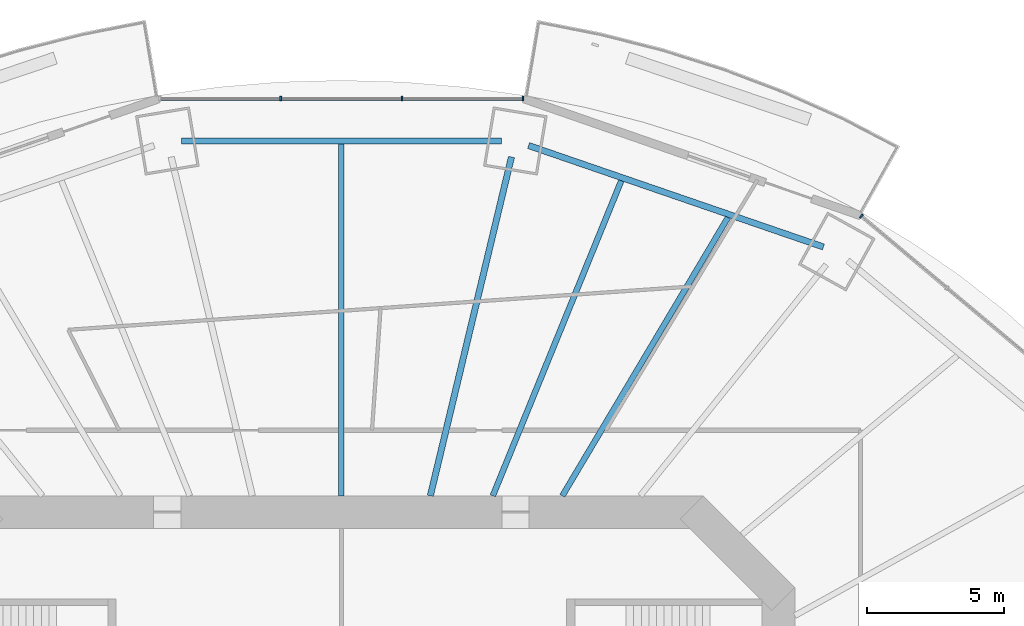
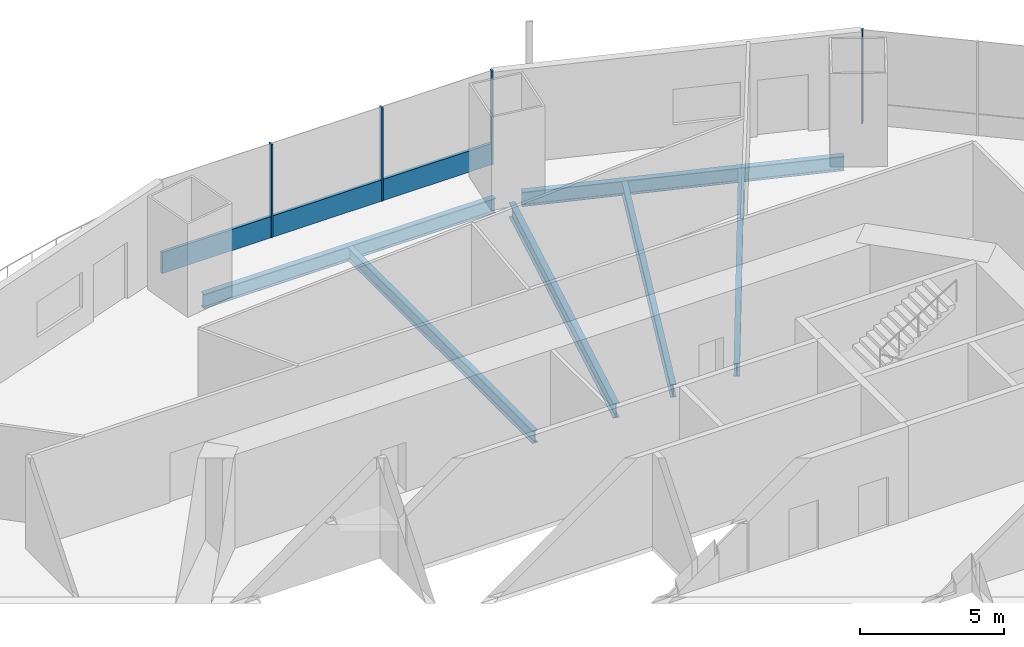
# One storey, part 9 of 22: 6 beams, 5 members, 2 elements without a shape of their own.
"""IFC4 building model written with IfcOpenShell, lengths in metres."""

from ifc_helpers import new_model, si_unit, direction, frame, origin, origin_2d, place, context, subcontext, project, spatial, rectangle, i_section, extrude, material, material_profile, profile_set, type_object, element, aggregate, save


model = new_model("IFC4")

# Units and contexts
model_context = context("Model", 3, precision=1e-05, world=origin(), true_north=direction((0.0, 1.0)))
body_context = subcontext(model_context, "Body", "Model", "MODEL_VIEW")
ifc_project = project(units=[si_unit("LENGTHUNIT", "METRE"), si_unit("AREAUNIT", "SQUARE_METRE"), si_unit("VOLUMEUNIT", "CUBIC_METRE"), si_unit("PLANEANGLEUNIT", "RADIAN"), si_unit("MASSUNIT", "GRAM", prefix="KILO")], contexts=[model_context])

# Site, building, storey
site_placement = place(None, origin())
site = spatial("IfcSite", under=ifc_project, at=site_placement, CompositionType="ELEMENT")
building_placement = place(site_placement, origin())
building = spatial("IfcBuilding", under=site, at=building_placement, Name="Marenthal Gate Tower", CompositionType="ELEMENT")
storey_placement = place(building_placement, frame((0.0, 0.0, 111.85009765625)))
storey = spatial("IfcBuildingStorey", under=building, at=storey_placement, Name="L23", CompositionType="ELEMENT", Elevation=111.85009765625)

# Curtain wall, member
ifc_material_1 = material(Name="Aluminium and glass", Category="aluminium")
curtain_wall_type = type_object("IfcCurtainWallType", Name="Curtain wall typical low", PredefinedType="NOTDEFINED", material=ifc_material_1)
curtain_wall_1_placement = place(storey_placement, origin())
curtain_wall_1 = element("IfcCurtainWall", 1, at=curtain_wall_1_placement, inside=storey, type_object=curtain_wall_type, Name="Curtain wall L23 bay 2", PredefinedType="NOTDEFINED")
ifc_material_2 = material(Name="Aluminium", Category="aluminium")
ifc_material_profile_1 = material_profile(ifc_material_2, rectangle(XDim=0.159912109375, YDim=0.06005859375, at=origin_2d()), Name="60x160 aluminium mullion")
ifc_profile_set_1 = profile_set([ifc_material_profile_1], Name="Aluminium")
member_type_1 = type_object("IfcMemberType", Name="Mullion 60x160 typical low", PredefinedType="MULLION", material=ifc_profile_set_1)
member_1_placement = place(storey_placement, frame((19.037841796875, 23.833984375, 0.0), z_axis=(0.0, 0.0, 1.0), x_axis=(-0.642377082487, -0.766388728972, 0.0)))
member_1 = element("IfcMember", 2, at=member_1_placement, type_object=member_type_1, Name="Mullion L23 bay 2.4", PredefinedType="MULLION", context=body_context, shape_type="SweptSolid", body=[
    extrude(rectangle(XDim=0.159912109375, YDim=0.06005859375, at=origin_2d()), origin(), (0.0, 0.0, 1.0), 3.969970703125),
])
aggregate(curtain_wall_1, [member_1])

# Curtain wall, members
curtain_wall_2_placement = place(storey_placement, origin())
curtain_wall_2 = element("IfcCurtainWall", 3, at=curtain_wall_2_placement, inside=storey, type_object=curtain_wall_type, Name="Curtain wall L23 bay 4", PredefinedType="NOTDEFINED")
member_2_placement = place(storey_placement, frame((6.647216796875, 28.13671875, 0.0), z_axis=(0.0, 0.0, 1.0), x_axis=(0.0, -1.0, 0.0)))
member_2 = element("IfcMember", 4, at=member_2_placement, type_object=member_type_1, Name="Mullion L23 bay 4.1", PredefinedType="MULLION", context=body_context, shape_type="SweptSolid", body=[
    extrude(rectangle(XDim=0.159912109375, YDim=0.06005859375, at=origin_2d()), origin(), (0.0, 0.0, 1.0), 3.969970703125),
])
member_3_placement = place(storey_placement, frame((2.2158203125, 28.13671875, 0.0), z_axis=(0.0, 0.0, 1.0), x_axis=(0.0, -1.0, 0.0)))
member_3 = element("IfcMember", 5, at=member_3_placement, type_object=member_type_1, Name="Mullion L23 bay 4.2", PredefinedType="MULLION", context=body_context, shape_type="SweptSolid", body=[
    extrude(rectangle(XDim=0.159912109375, YDim=0.06005859375, at=origin_2d()), origin(), (0.0, 0.0, 1.0), 3.969970703125),
])
member_4_placement = place(storey_placement, frame((-2.2158203125, 28.13671875, 0.0), z_axis=(0.0, 0.0, 1.0), x_axis=(0.0, -1.0, 0.0)))
member_4 = element("IfcMember", 6, at=member_4_placement, type_object=member_type_1, Name="Mullion L23 bay 4.3", PredefinedType="MULLION", context=body_context, shape_type="SweptSolid", body=[
    extrude(rectangle(XDim=0.159912109375, YDim=0.06005859375, at=origin_2d()), origin(), (0.0, 0.0, 1.0), 3.969970703125),
])
ifc_material_3 = material(Name="Aluminium", Category="aluminium")
ifc_material_profile_2 = material_profile(ifc_material_3, rectangle(XDim=0.1201171875, YDim=0.89990234375, at=origin_2d()), Name="120x900 aluminium transom")
ifc_profile_set_2 = profile_set([ifc_material_profile_2], Name="Aluminium")
member_type_2 = type_object("IfcMemberType", Name="Transom 120x900 typical low", PredefinedType="USERDEFINED", material=ifc_profile_set_2)
member_5_placement = place(storey_placement, frame((6.6171875, 28.13671875, 0.449951171875), z_axis=(-1.0, 0.0, 0.0), x_axis=(0.0, -1.0, 0.0)))
member_5 = element("IfcMember", 7, at=member_5_placement, type_object=member_type_2, Name="Transom L23 bay 4", ObjectType="TRANSOM", PredefinedType="USERDEFINED", context=body_context, shape_type="SweptSolid", body=[
    extrude(rectangle(XDim=0.1201171875, YDim=0.89990234375, at=origin_2d()), origin(), (0.0, 0.0, 1.0), 13.234375),
])
aggregate(curtain_wall_2, [member_2, member_3, member_4, member_5])

# Beams
ifc_material_4 = material(Name="Steel S355", Category="steel")
ifc_material_profile_3 = material_profile(ifc_material_4, i_section(OverallWidth=0.2119140625, OverallDepth=0.5439453125, WebThickness=0.01318359375, FlangeThickness=0.021240234375, FilletRadius=0.0126953125, at=origin_2d()), Name="W530X123")
ifc_profile_set_3 = profile_set([ifc_material_profile_3], Name="Steel S355")
beam_type_1 = type_object("IfcBeamType", Name="W530X123 beam", PredefinedType="BEAM", material=ifc_profile_set_3)
beam_1_placement = place(storey_placement, frame((14.154541015625, 23.7880859375, -0.4521484375), z_axis=(-0.511357862228, -0.859367870436, 0.0), x_axis=(0.859367870436, -0.511357862228, 0.0)))
element("IfcBeam", 8, at=beam_1_placement, inside=storey, type_object=beam_type_1, Name="BM-L23-20", PredefinedType="BEAM", context=body_context, shape_type="SweptSolid", body=[
    extrude(i_section(OverallWidth=0.2119140625, OverallDepth=0.5439453125, WebThickness=0.01318359375, FlangeThickness=0.021240234375, FilletRadius=0.0126953125, at=origin_2d()), origin(), (0.0, 0.0, 1.0), 11.855224609375),
])
beam_2_placement = place(storey_placement, frame((10.248291015625, 25.131591796875, -0.4521484375), z_axis=(-0.377598266022, -0.925969518665, 0.0), x_axis=(0.925969518665, -0.377598266022, 0.0)))
element("IfcBeam", 9, at=beam_2_placement, inside=storey, type_object=beam_type_1, Name="BM-L23-21", PredefinedType="BEAM", context=body_context, shape_type="SweptSolid", body=[
    extrude(i_section(OverallWidth=0.2119140625, OverallDepth=0.5439453125, WebThickness=0.01318359375, FlangeThickness=0.021240234375, FilletRadius=0.0126953125, at=origin_2d()), origin(), (0.0, 0.0, 1.0), 12.453369140625),
])
beam_3_placement = place(storey_placement, frame((0.0, 26.47265625, -0.4521484375), z_axis=(0.0, -1.0, 0.0), x_axis=(1.0, 0.0, 0.0)))
element("IfcBeam", 10, at=beam_3_placement, inside=storey, type_object=beam_type_1, Name="BM-L23-22", PredefinedType="BEAM", context=body_context, shape_type="SweptSolid", body=[
    extrude(i_section(OverallWidth=0.2119140625, OverallDepth=0.5439453125, WebThickness=0.01318359375, FlangeThickness=0.021240234375, FilletRadius=0.0126953125, at=origin_2d()), origin(), (0.0, 0.0, 1.0), 12.87255859375),
])
ifc_material_5 = material(Name="Steel S355", Category="steel")
ifc_material_profile_4 = material_profile(ifc_material_5, i_section(OverallWidth=0.22900390625, OverallDepth=0.612060546875, WebThickness=0.011962890625, FlangeThickness=0.01953125, FilletRadius=0.0126953125, at=origin_2d()), Name="W610X125")
ifc_profile_set_4 = profile_set([ifc_material_profile_4], Name="Steel S355")
beam_type_2 = type_object("IfcBeamType", Name="W610X125 beam", PredefinedType="BEAM", material=ifc_profile_set_4)
beam_4_placement = place(storey_placement, frame((6.228515625, 26.000732421875, -0.486083984375), z_axis=(-0.232968867139, -0.972484193673, 0.0), x_axis=(0.972484193673, -0.232968867139, 0.0)))
element("IfcBeam", 11, at=beam_4_placement, inside=storey, type_object=beam_type_2, Name="BM-L23-04", PredefinedType="BEAM", context=body_context, shape_type="SweptSolid", body=[
    extrude(i_section(OverallWidth=0.22900390625, OverallDepth=0.612060546875, WebThickness=0.011962890625, FlangeThickness=0.01953125, FilletRadius=0.0126953125, at=origin_2d()), origin(), (0.0, 0.0, 1.0), 12.75146484375),
])
beam_5_placement = place(storey_placement, frame((17.649658203125, 22.707275390625, -0.486083984375), z_axis=(-0.945631108542, 0.325241151391, 0.0), x_axis=(-0.325241151391, -0.945631108542, 0.0)))
element("IfcBeam", 12, at=beam_5_placement, inside=storey, type_object=beam_type_2, Name="BM-L23-43", PredefinedType="BEAM", context=body_context, shape_type="SweptSolid", body=[
    extrude(i_section(OverallWidth=0.22900390625, OverallDepth=0.612060546875, WebThickness=0.011962890625, FlangeThickness=0.01953125, FilletRadius=0.0126953125, at=origin_2d()), origin(), (0.0, 0.0, 1.0), 11.4150390625),
])
beam_6_placement = place(storey_placement, frame((5.85546875, 26.587158203125, -0.486083984375), z_axis=(-1.0, 0.0, 0.0), x_axis=(0.0, -1.0, 0.0)))
element("IfcBeam", 13, at=beam_6_placement, inside=storey, type_object=beam_type_2, Name="BM-L23-44", PredefinedType="BEAM", context=body_context, shape_type="SweptSolid", body=[
    extrude(i_section(OverallWidth=0.22900390625, OverallDepth=0.612060546875, WebThickness=0.011962890625, FlangeThickness=0.01953125, FilletRadius=0.0126953125, at=origin_2d()), origin(), (0.0, 0.0, 1.0), 11.7109375),
])

save(model, "model.ifc")
